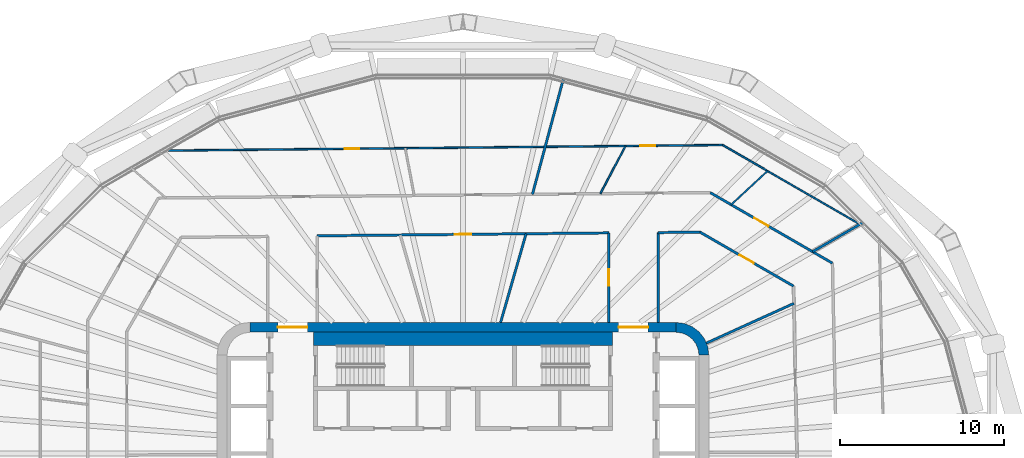
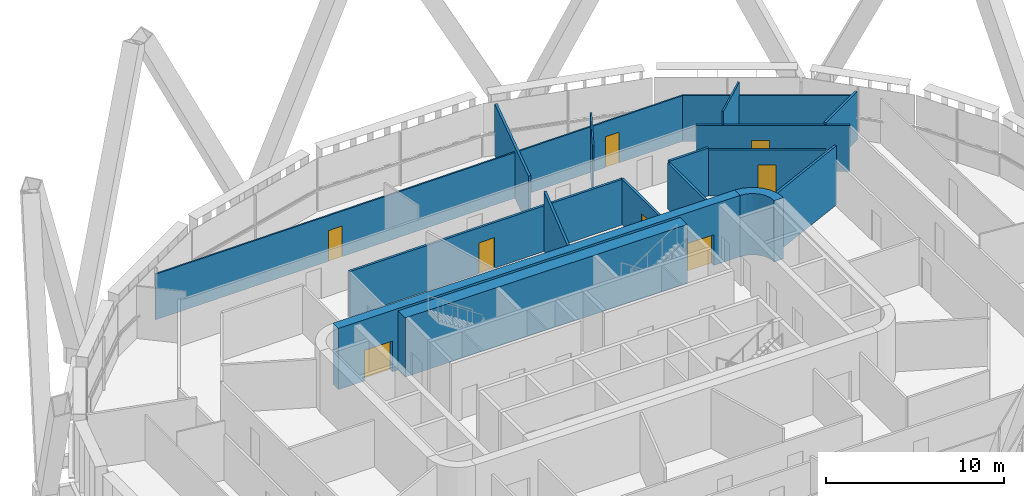
# One storey, part 17 of 25: 17 walls, 8 doors, 8 openings.
"""IFC4 building model written with IfcOpenShell, lengths in metres."""

import ifcopenshell
import ifcopenshell.guid

model = None  # the IFC model being written
_history = None  # IfcOwnerHistory: only IFC2X3 demands one
_inside = {}  # id of a spatial element -> (the spatial element, [elements in it])
_under = {}  # id of a project, library or spatial element -> (it, [spatial elements below it])
_declared = {}  # id of a project -> (the project, [libraries it declares])
_typed = {}  # id of a type object -> (the type object, [elements of that type])
_made_of = {}  # id of a material, layer set ... -> (it, [elements and type objects made of it])


def new_model(schema):
    """Start an empty IFC model of exactly this schema.

    Asked for "IFC4X3", IfcOpenShell would pick the latest addendum, in which some entities
    have other attributes; the version numbers below select the first issue.
    IFC2X3 requires an IfcOwnerHistory on every rooted entity: one is made here for all.
    """
    global model, _history
    if schema == "IFC4X3":
        model = ifcopenshell.file(schema_version=(4, 3, 0, 0))
    else:
        model = ifcopenshell.file(schema=schema)
    _inside.clear()
    _under.clear()
    _declared.clear()
    _typed.clear()
    _made_of.clear()
    _history = None
    if model.schema == "IFC2X3":
        org = make("IfcOrganization", Name="unknown")
        user = make(
            "IfcPersonAndOrganization",
            ThePerson=make("IfcPerson", FamilyName="unknown"),
            TheOrganization=org,
        )
        app = make(
            "IfcApplication",
            ApplicationDeveloper=org,
            Version="unknown",
            ApplicationFullName="unknown",
            ApplicationIdentifier="unknown",
        )
        _history = make(
            "IfcOwnerHistory",
            OwningUser=user,
            OwningApplication=app,
            ChangeAction="ADDED",
            CreationDate=0,
        )
    return model


def make(cls, **values):
    """One entity of the class cls with the attributes given. An attribute that is None is left unset."""
    return model.create_entity(
        cls, **{name: value for name, value in values.items() if value is not None}
    )


def rooted(cls, **values):
    """An entity with a GlobalId (a new one), such as an element, a storey or a relation."""
    return make(cls, GlobalId=ifcopenshell.guid.new(), OwnerHistory=_history, **values)


def si_unit(unit_type, name, prefix=None):
    """IfcSIUnit, for example si_unit("LENGTHUNIT", "METRE", prefix="MILLI")."""
    return make("IfcSIUnit", UnitType=unit_type, Prefix=prefix, Name=name)


def assignment(units):
    """IfcUnitAssignment: the units of a project."""
    return None if units is None else make("IfcUnitAssignment", Units=units)


def point(xyz):
    """IfcCartesianPoint."""
    return None if xyz is None else make("IfcCartesianPoint", Coordinates=xyz)


def direction(xyz):
    """IfcDirection."""
    return None if xyz is None else make("IfcDirection", DirectionRatios=xyz)


def frame(location, z_axis=None, x_axis=None):
    """IfcAxis2Placement3D, a coordinate frame: its origin and axes. An axis left out is left unset."""
    return make(
        "IfcAxis2Placement3D",
        Location=point(location),
        Axis=direction(z_axis),
        RefDirection=direction(x_axis),
    )


def frame_2d(location, x_axis=None):
    """IfcAxis2Placement2D, a coordinate frame in the plane: its origin and x axis."""
    return make(
        "IfcAxis2Placement2D", Location=point(location), RefDirection=direction(x_axis)
    )


def origin():
    """The frame at (0, 0, 0) with its axes left unset."""
    return frame((0.0, 0.0, 0.0))


def place(relative_to, where):
    """IfcLocalPlacement: puts the frame where relative to a parent placement (None: the world)."""
    return make(
        "IfcLocalPlacement", PlacementRelTo=relative_to, RelativePlacement=where
    )


def context(
    kind, dimensions, precision=None, world=None, true_north=None, identifier=None
):
    """IfcGeometricRepresentationContext, for example the 3D "Model" context."""
    return make(
        "IfcGeometricRepresentationContext",
        ContextIdentifier=identifier,
        ContextType=kind,
        CoordinateSpaceDimension=dimensions,
        Precision=precision,
        WorldCoordinateSystem=world,
        TrueNorth=true_north,
    )


def subcontext(parent, identifier, kind, view, scale=None):
    """IfcGeometricRepresentationSubContext, for example "Body" below "Model"."""
    return make(
        "IfcGeometricRepresentationSubContext",
        ContextIdentifier=identifier,
        ContextType=kind,
        ParentContext=parent,
        TargetScale=scale,
        TargetView=view,
    )


def project(units=None, contexts=None):
    """IfcProject with its units and contexts."""
    return rooted(
        "IfcProject",
        Name="project",
        RepresentationContexts=contexts,
        UnitsInContext=assignment(units),
    )


def spatial(cls, under=None, at=None, **own):
    """A site, building, storey or space (cls), placed at a placement, below another one or the project."""
    s = rooted(cls, ObjectPlacement=at, **own)
    if under is not None:
        _under.setdefault(under.id(), (under, []))[1].append(s)
    return s


def polyline(points):
    """IfcPolyline through the points."""
    return make("IfcPolyline", Points=[point(p) for p in points])


def profile(cls, at=None, kind="AREA", **sizes):
    """A parametric profile (cls). Its sizes go by their IFC names, for example OverallWidth=200.0."""
    return make(cls, ProfileType=kind, Position=at, **sizes)


def rectangle(**sizes):
    """IfcRectangleProfileDef."""
    return profile("IfcRectangleProfileDef", **sizes)


def outline(outer, holes=None, kind="AREA"):
    """IfcArbitraryClosedProfileDef: a profile drawn as a closed curve; with holes, ...WithVoids."""
    if holes is None:
        return make("IfcArbitraryClosedProfileDef", ProfileType=kind, OuterCurve=outer)
    return make(
        "IfcArbitraryProfileDefWithVoids",
        ProfileType=kind,
        OuterCurve=outer,
        InnerCurves=holes,
    )


def extrude(swept, where, along, depth):
    """IfcExtrudedAreaSolid: the profile swept, set in the frame where, extruded along a direction by depth."""
    return make(
        "IfcExtrudedAreaSolid",
        SweptArea=swept,
        Position=where,
        ExtrudedDirection=direction(along),
        Depth=depth,
    )


def shape(context_of_items, identifier, shape_type, items):
    """IfcShapeRepresentation: the items that make up one representation, for example the "Body"."""
    return make(
        "IfcShapeRepresentation",
        ContextOfItems=context_of_items,
        RepresentationIdentifier=identifier,
        RepresentationType=shape_type,
        Items=items,
    )


def material(Name=None, Category=None):
    """IfcMaterial."""
    return make("IfcMaterial", Name=Name, Category=Category)


def layer(
    of_material, thickness, ventilated=None, Name=None, Category=None, Priority=None
):
    """IfcMaterialLayer: one layer of a wall or slab, of a material (None: an air gap)."""
    return make(
        "IfcMaterialLayer",
        Material=of_material,
        LayerThickness=thickness,
        IsVentilated=ventilated,
        Name=Name,
        Category=Category,
        Priority=Priority,
    )


def layer_set(layers, Name=None):
    """IfcMaterialLayerSet."""
    return make("IfcMaterialLayerSet", MaterialLayers=layers, LayerSetName=Name)


def made_of(thing, what):
    """Note that an element or type object is made of a material, layer set ...; save() writes the relation."""
    if what is not None:
        _made_of.setdefault(what.id(), (what, []))[1].append(thing)
    return thing


def type_object(cls, material=None, **own):
    """A type object (cls), such as IfcWallType, which elements share."""
    return made_of(rooted(cls, **own), material)


def element(
    cls,
    number,
    at=None,
    inside=None,
    cuts=None,
    type_object=None,
    material=None,
    context=None,
    identifier="Body",
    shape_type=None,
    held_by="IfcProductDefinitionShape",
    body=None,
    shapes=None,
    **own,
):
    """One element of the class cls, such as IfcWall. Its Tag is "e" and its number.

    at: its placement. inside: the storey or other place that contains it. cuts: it is an
    opening in that element (IfcRelVoidsElement). A single representation is given by context,
    identifier, shape_type and body (its items); several are given by shapes. held_by: the class
    of the entity that holds the representations. save() writes the other relations.
    """
    e = rooted(cls, Tag="e%d" % number, ObjectPlacement=at, **own)
    if body is not None:
        shapes = [shape(context, identifier, shape_type, body)]
    if shapes is not None:
        e.Representation = make(held_by, Representations=shapes)
    if inside is not None:
        _inside.setdefault(inside.id(), (inside, []))[1].append(e)
    if cuts is not None:
        rooted(
            "IfcRelVoidsElement", RelatingBuildingElement=cuts, RelatedOpeningElement=e
        )
    if type_object is not None:
        _typed.setdefault(type_object.id(), (type_object, []))[1].append(e)
    return made_of(e, material)


def fill(opening, filler):
    """IfcRelFillsElement: the door or window that sits in an opening."""
    return rooted(
        "IfcRelFillsElement",
        RelatingOpeningElement=opening,
        RelatedBuildingElement=filler,
    )


def aggregate(whole, parts):
    """IfcRelAggregates: a whole, such as a stair, and the parts it consists of."""
    return rooted("IfcRelAggregates", RelatingObject=whole, RelatedObjects=parts)


def save(model, path):
    """Write the relations noted so far, then the file.

    IfcRelAggregates (storeys below a building ...), IfcRelContainedInSpatialStructure (elements
    in a storey), IfcRelDefinesByType, IfcRelAssociatesMaterial and IfcRelDeclares: one each for
    every whole, place, type object, material and project.
    """
    for whole, parts in _under.values():
        aggregate(whole, parts)
    for where, things in _inside.values():
        rooted(
            "IfcRelContainedInSpatialStructure",
            RelatedElements=things,
            RelatingStructure=where,
        )
    for kind, things in _typed.values():
        rooted("IfcRelDefinesByType", RelatedObjects=things, RelatingType=kind)
    for what, things in _made_of.values():
        rooted("IfcRelAssociatesMaterial", RelatedObjects=things, RelatingMaterial=what)
    for by, libraries in _declared.values():
        rooted("IfcRelDeclares", RelatingContext=by, RelatedDefinitions=libraries)
    model.write(path)


model = new_model("IFC4")

# Units and contexts
model_context = context("Model", 3, precision=1e-05, world=origin(), true_north=direction((0.0, 1.0)))
body_context = subcontext(model_context, "Body", "Model", "MODEL_VIEW")
ifc_project = project(units=[si_unit("LENGTHUNIT", "METRE"), si_unit("AREAUNIT", "SQUARE_METRE"), si_unit("VOLUMEUNIT", "CUBIC_METRE"), si_unit("PLANEANGLEUNIT", "RADIAN"), si_unit("MASSUNIT", "GRAM", prefix="KILO")], contexts=[model_context])

# Site, building, storey
site_placement = place(None, origin())
site = spatial("IfcSite", under=ifc_project, at=site_placement, CompositionType="ELEMENT")
building_placement = place(site_placement, origin())
building = spatial("IfcBuilding", under=site, at=building_placement, Name="Sahrelin Media Tower", CompositionType="ELEMENT")
storey_placement = place(building_placement, frame((0.0, 0.0, 63.0)))
storey = spatial("IfcBuildingStorey", under=building, at=storey_placement, Name="L10", CompositionType="ELEMENT", Elevation=63.0)

# Wall, openings, doors
ifc_material_1 = material(Name="Concrete C60/75", Category="concrete")
ifc_layer_1 = layer(ifc_material_1, 0.60009765625)
ifc_layer_set_1 = layer_set([ifc_layer_1], Name="Core wall 600")
wall_type_1 = type_object("IfcWallType", Name="Core wall 600", PredefinedType="SHEAR", material=ifc_layer_set_1)
wall_1_placement = place(storey_placement, frame((-13.0, 7.699951171875, 0.0), z_axis=(0.0, 0.0, 1.0), x_axis=(1.0, 0.0, 0.0)))
wall_1 = element("IfcWall", 1, at=wall_1_placement, inside=storey, type_object=wall_type_1, Name="Core wall N L10", PredefinedType="SHEAR", context=body_context, shape_type="SweptSolid", body=[
    extrude(rectangle(XDim=26.0, YDim=0.60009765625, at=frame_2d((13.0, 0.0))), origin(), (0.0, 0.0, 1.0), 4.199951171875),
])
opening_1_placement = place(wall_1_placement, frame((1.699951171875, 0.0, 0.0)))
opening_1 = element("IfcOpeningElement", 2, at=opening_1_placement, cuts=wall_1, Name="Opening L10-D18", PredefinedType="OPENING", context=body_context, shape_type="SweptSolid", body=[
    extrude(rectangle(XDim=1.800048828125, YDim=2.10009765625, at=frame_2d((0.89990234375, 1.050048828125))), frame((0.0, 0.300048828125, 0.0), z_axis=(0.0, -1.0, 0.0), x_axis=(1.0, 0.0, 0.0)), (0.0, 0.0, 1.0), 0.60009765625),
])
opening_2_placement = place(wall_1_placement, frame((22.5, 0.0, 0.0)))
opening_2 = element("IfcOpeningElement", 3, at=opening_2_placement, cuts=wall_1, Name="Opening L10-D19", PredefinedType="OPENING", context=body_context, shape_type="SweptSolid", body=[
    extrude(rectangle(XDim=1.800048828125, YDim=2.10009765625, at=frame_2d((0.89990234375, 1.050048828125))), frame((0.0, 0.300048828125, 0.0), z_axis=(0.0, -1.0, 0.0), x_axis=(1.0, 0.0, 0.0)), (0.0, 0.0, 1.0), 0.60009765625),
])
ifc_material_2 = material(Name="Steel fire door leaf", Category="steel")
door_type_1 = type_object("IfcDoorType", Name="Lobby double door 1800 x 2100 EI 60", OperationType="DOUBLE_DOOR_SINGLE_SWING", PredefinedType="DOOR", material=ifc_material_2)
door_1_placement = place(opening_1_placement, origin())
door_1 = element("IfcDoor", 4, at=door_1_placement, inside=storey, type_object=door_type_1, Name="Lobby door", OperationType="DOUBLE_DOOR_SINGLE_SWING", OverallHeight=2.10009765625, OverallWidth=1.800048828125, PredefinedType="DOOR", context=body_context, shape_type="SweptSolid", body=[
    extrude(rectangle(XDim=1.800048828125, YDim=2.10009765625, at=frame_2d((0.89990234375, 1.050048828125))), frame((0.0, 0.02490234375, 0.0), z_axis=(0.0, -1.0, 0.0), x_axis=(1.0, 0.0, 0.0)), (0.0, 0.0, 1.0), 0.050048828125),
])
fill(opening_1, door_1)
door_2_placement = place(opening_2_placement, origin())
door_2 = element("IfcDoor", 5, at=door_2_placement, inside=storey, type_object=door_type_1, Name="Lobby door", OperationType="DOUBLE_DOOR_SINGLE_SWING", OverallHeight=2.10009765625, OverallWidth=1.800048828125, PredefinedType="DOOR", context=body_context, shape_type="SweptSolid", body=[
    extrude(rectangle(XDim=1.800048828125, YDim=2.10009765625, at=frame_2d((0.89990234375, 1.050048828125))), frame((0.0, 0.02490234375, 0.0), z_axis=(0.0, -1.0, 0.0), x_axis=(1.0, 0.0, 0.0)), (0.0, 0.0, 1.0), 0.050048828125),
])
fill(opening_2, door_2)

# Wall
wall_2_placement = place(storey_placement, origin())
element("IfcWall", 6, at=wall_2_placement, inside=storey, type_object=wall_type_1, Name="Core wall corner NE L10", PredefinedType="SHEAR", context=body_context, shape_type="SweptSolid", body=[
    extrude(outline(polyline([(13.0, 8.0), (13.0, 7.394775390625), (13.361083984375, 7.347412109375), (13.697509765625, 7.2080078125), (13.986328125, 6.986328125), (14.2080078125, 6.697509765625), (14.347412109375, 6.361083984375), (14.394775390625, 6.0), (15.0, 6.0), (14.931884765625, 6.517578125), (14.732177734375, 7.0), (14.414306640625, 7.414306640625), (14.0, 7.732177734375), (13.517578125, 7.931884765625), (13.0, 8.0)])), origin(), (0.0, 0.0, 1.0), 4.199951171875),
])

# Wall, opening, door
ifc_material_3 = material(Name="Fire-rated gypsum board partition")
ifc_layer_2 = layer(ifc_material_3, 0.14990234375)
ifc_layer_set_2 = layer_set([ifc_layer_2], Name="Fire-rated partition 150")
wall_type_2 = type_object("IfcWallType", Name="Fire-rated partition 150", PredefinedType="PARTITIONING", material=ifc_layer_set_2)
wall_3_placement = place(storey_placement, frame((14.447998046875, 13.514892578125, 0.0), z_axis=(0.0, 0.0, 1.0), x_axis=(0.866016279763, -0.500015802937, 0.0)))
wall_3 = element("IfcWall", 7, at=wall_3_placement, inside=storey, type_object=wall_type_2, Name="Wall", PredefinedType="PARTITIONING", context=body_context, shape_type="SweptSolid", body=[
    extrude(rectangle(XDim=6.603759765625, YDim=0.14990234375, at=frame_2d((3.3017578125, 0.0))), origin(), (0.0, 0.0, 1.0), 3.14501953125),
])
opening_3_placement = place(wall_3_placement, frame((2.802001953125, 0.0, 0.0)))
opening_3 = element("IfcOpeningElement", 8, at=opening_3_placement, cuts=wall_3, Name="Opening L10-D28", PredefinedType="OPENING", context=body_context, shape_type="SweptSolid", body=[
    extrude(rectangle(XDim=1.0, YDim=2.10009765625, at=frame_2d((0.5, 1.050048828125))), frame((0.0, 0.074951171875, 0.0), z_axis=(0.0, -1.0, 0.0), x_axis=(1.0, 0.0, 0.0)), (0.0, 0.0, 1.0), 0.14990234375),
])
door_type_2 = type_object("IfcDoorType", Name="Fire door 1000 x 2100 EI 60", OperationType="NOTDEFINED", PredefinedType="DOOR", material=ifc_material_2)
door_3_placement = place(opening_3_placement, origin())
door_3 = element("IfcDoor", 9, at=door_3_placement, inside=storey, type_object=door_type_2, Name="Fire door", OperationType="SINGLE_SWING_RIGHT", OverallHeight=2.10009765625, OverallWidth=1.0, PredefinedType="DOOR", context=body_context, shape_type="SweptSolid", body=[
    extrude(rectangle(XDim=1.0, YDim=2.10009765625, at=frame_2d((0.5, 1.050048828125))), frame((0.0, 0.02490234375, 0.0), z_axis=(0.0, -1.0, 0.0), x_axis=(1.0, 0.0, 0.0)), (0.0, 0.0, 1.0), 0.050048828125),
])
fill(opening_3, door_3)

wall_4_placement = place(storey_placement, frame((15.080078125, 15.9208984375, 0.0), z_axis=(0.0, 0.0, 1.0), x_axis=(0.866020838546, -0.500007907142, 0.0)))
wall_4 = element("IfcWall", 10, at=wall_4_placement, inside=storey, type_object=wall_type_2, Name="Wall", PredefinedType="PARTITIONING", context=body_context, shape_type="SweptSolid", body=[
    extrude(rectangle(XDim=8.612548828125, YDim=0.14990234375, at=frame_2d((4.30615234375, 0.0))), origin(), (0.0, 0.0, 1.0), 3.14501953125),
])
opening_4_placement = place(wall_4_placement, frame((3.108154296875, 0.0, 0.0)))
opening_4 = element("IfcOpeningElement", 11, at=opening_4_placement, cuts=wall_4, Name="Opening L10-D52", PredefinedType="OPENING", context=body_context, shape_type="SweptSolid", body=[
    extrude(rectangle(XDim=1.0, YDim=2.10009765625, at=frame_2d((0.5, 1.050048828125))), frame((0.0, 0.074951171875, 0.0), z_axis=(0.0, -1.0, 0.0), x_axis=(1.0, 0.0, 0.0)), (0.0, 0.0, 1.0), 0.14990234375),
])
door_4_placement = place(opening_4_placement, origin())
door_4 = element("IfcDoor", 12, at=door_4_placement, inside=storey, type_object=door_type_2, Name="Fire door", OperationType="SINGLE_SWING_RIGHT", OverallHeight=2.10009765625, OverallWidth=1.0, PredefinedType="DOOR", context=body_context, shape_type="SweptSolid", body=[
    extrude(rectangle(XDim=1.0, YDim=2.10009765625, at=frame_2d((0.5, 1.050048828125))), frame((0.0, 0.02490234375, 0.0), z_axis=(0.0, -1.0, 0.0), x_axis=(1.0, 0.0, 0.0)), (0.0, 0.0, 1.0), 0.050048828125),
])
fill(opening_4, door_4)

wall_5_placement = place(storey_placement, frame((-8.89990234375, 13.282470703125, 0.0), z_axis=(0.0, 0.0, 1.0), x_axis=(0.999950697987, 0.009929833562, 0.0)))
wall_5 = element("IfcWall", 13, at=wall_5_placement, inside=storey, type_object=wall_type_2, Name="Wall", PredefinedType="PARTITIONING", context=body_context, shape_type="SweptSolid", body=[
    extrude(rectangle(XDim=17.80078125, YDim=0.14990234375, at=frame_2d((8.900390625, 0.0))), origin(), (0.0, 0.0, 1.0), 3.126953125),
])
opening_5_placement = place(wall_5_placement, frame((8.411865234375, 0.0, 0.0)))
opening_5 = element("IfcOpeningElement", 14, at=opening_5_placement, cuts=wall_5, Name="Opening L10-D30", PredefinedType="OPENING", context=body_context, shape_type="SweptSolid", body=[
    extrude(rectangle(XDim=1.0, YDim=2.10009765625, at=frame_2d((0.5, 1.050048828125))), frame((0.0, 0.074951171875, 0.0), z_axis=(0.0, -1.0, 0.0), x_axis=(1.0, 0.0, 0.0)), (0.0, 0.0, 1.0), 0.14990234375),
])
door_5_placement = place(opening_5_placement, origin())
door_5 = element("IfcDoor", 15, at=door_5_placement, inside=storey, type_object=door_type_2, Name="Fire door", OperationType="SINGLE_SWING_LEFT", OverallHeight=2.10009765625, OverallWidth=1.0, PredefinedType="DOOR", context=body_context, shape_type="SweptSolid", body=[
    extrude(rectangle(XDim=1.0, YDim=2.10009765625, at=frame_2d((0.5, 1.050048828125))), frame((0.0, 0.02490234375, 0.0), z_axis=(0.0, -1.0, 0.0), x_axis=(1.0, 0.0, 0.0)), (0.0, 0.0, 1.0), 0.050048828125),
])
fill(opening_5, door_5)

# Walls
wall_6_placement = place(storey_placement, frame((11.89990234375, 13.47998046875, 0.0), z_axis=(0.0, 0.0, 1.0), x_axis=(0.999950357576, 0.009964054536, 0.0)))
element("IfcWall", 16, at=wall_6_placement, inside=storey, type_object=wall_type_2, Name="Wall", PredefinedType="PARTITIONING", context=body_context, shape_type="SweptSolid", body=[
    extrude(rectangle(XDim=2.54833984375, YDim=0.14990234375, at=frame_2d((1.274169921875, 0.0))), origin(), (0.0, 0.0, 1.0), 3.27587890625),
])
wall_7_placement = place(storey_placement, frame((14.843017578125, 6.73291015625, 0.0), z_axis=(0.0, 0.0, 1.0), x_axis=(0.910628361306, 0.413226315214, 0.0)))
element("IfcWall", 17, at=wall_7_placement, inside=storey, type_object=wall_type_2, Name="Wall", PredefinedType="PARTITIONING", context=body_context, shape_type="SweptSolid", body=[
    extrude(rectangle(XDim=5.870361328125, YDim=0.14990234375, at=frame_2d((2.93505859375, 0.0))), origin(), (0.0, 0.0, 1.0), 4.050048828125),
])
wall_8_placement = place(storey_placement, frame((21.327880859375, 12.31396484375, 0.0), z_axis=(0.0, 0.0, 1.0), x_axis=(0.865651247195, 0.500647498975, 0.0)))
element("IfcWall", 18, at=wall_8_placement, inside=storey, type_object=wall_type_2, Name="Wall", PredefinedType="PARTITIONING", context=body_context, shape_type="SweptSolid", body=[
    extrude(rectangle(XDim=3.540283203125, YDim=0.14990234375, at=frame_2d((1.77001953125, 0.0))), origin(), (0.0, 0.0, 1.0), 3.30224609375),
])
wall_9_placement = place(storey_placement, frame((2.2958984375, 8.0, 0.0), z_axis=(0.0, 0.0, 1.0), x_axis=(0.275958345059, 0.961169595749, 0.0)))
element("IfcWall", 19, at=wall_9_placement, inside=storey, type_object=wall_type_2, Name="Wall", PredefinedType="PARTITIONING", context=body_context, shape_type="SweptSolid", body=[
    extrude(rectangle(XDim=5.62841796875, YDim=0.14990234375, at=frame_2d((2.814208984375, 0.0))), origin(), (0.0, 0.0, 1.0), 4.050048828125),
])
wall_10_placement = place(storey_placement, frame((4.237060546875, 15.81298828125, 0.0), z_axis=(0.0, 0.0, 1.0), x_axis=(0.258856971965, 0.965915663019, 0.0)))
element("IfcWall", 20, at=wall_10_placement, inside=storey, type_object=wall_type_2, Name="Wall", PredefinedType="PARTITIONING", context=body_context, shape_type="SweptSolid", body=[
    extrude(rectangle(XDim=7.3017578125, YDim=0.14990234375, at=frame_2d((3.65087890625, 0.0))), origin(), (0.0, 0.0, 1.0), 3.501708984375),
])
wall_11_placement = place(storey_placement, frame((11.89990234375, 8.0, 0.0), z_axis=(0.0, 0.0, 1.0), x_axis=(0.0, 1.0, 0.0)))
element("IfcWall", 21, at=wall_11_placement, inside=storey, type_object=wall_type_2, Name="Wall", PredefinedType="PARTITIONING", context=body_context, shape_type="SweptSolid", body=[
    extrude(rectangle(XDim=5.47900390625, YDim=0.14990234375, at=frame_2d((2.739501953125, 0.0))), origin(), (0.0, 0.0, 1.0), 3.14501953125),
])

# Wall, opening, door
wall_12_placement = place(storey_placement, frame((8.89990234375, 8.0, 0.0), z_axis=(0.0, 0.0, 1.0), x_axis=(0.0, 1.0, 0.0)))
wall_12 = element("IfcWall", 22, at=wall_12_placement, inside=storey, type_object=wall_type_2, Name="Wall", PredefinedType="PARTITIONING", context=body_context, shape_type="SweptSolid", body=[
    extrude(rectangle(XDim=5.4599609375, YDim=0.14990234375, at=frame_2d((2.72998046875, 0.0))), origin(), (0.0, 0.0, 1.0), 3.126953125),
])
opening_6_placement = place(wall_12_placement, frame((2.22998046875, 0.0, 0.0)))
opening_6 = element("IfcOpeningElement", 23, at=opening_6_placement, cuts=wall_12, Name="Opening L10-D29", PredefinedType="OPENING", context=body_context, shape_type="SweptSolid", body=[
    extrude(rectangle(XDim=1.0, YDim=2.10009765625, at=frame_2d((0.5, 1.050048828125))), frame((0.0, 0.074951171875, 0.0), z_axis=(0.0, -1.0, 0.0), x_axis=(1.0, 0.0, 0.0)), (0.0, 0.0, 1.0), 0.14990234375),
])
door_6_placement = place(opening_6_placement, origin())
door_6 = element("IfcDoor", 24, at=door_6_placement, inside=storey, type_object=door_type_2, Name="Fire door", OperationType="SINGLE_SWING_LEFT", OverallHeight=2.10009765625, OverallWidth=1.0, PredefinedType="DOOR", context=body_context, shape_type="SweptSolid", body=[
    extrude(rectangle(XDim=1.0, YDim=2.10009765625, at=frame_2d((0.5, 1.050048828125))), frame((0.0, 0.02490234375, 0.0), z_axis=(0.0, -1.0, 0.0), x_axis=(1.0, 0.0, 0.0)), (0.0, 0.0, 1.0), 0.050048828125),
])
fill(opening_6, door_6)

# Wall
ifc_material_4 = material(Name="Gypsum board partition")
ifc_layer_3 = layer(ifc_material_4, 0.10009765625)
ifc_layer_set_3 = layer_set([ifc_layer_3], Name="Partition 100")
wall_type_3 = type_object("IfcWallType", Name="Partition 100", PredefinedType="PARTITIONING", material=ifc_layer_set_3)
wall_13_placement = place(storey_placement, frame((15.841064453125, 18.819091796875, 0.0), z_axis=(0.0, 0.0, 1.0), x_axis=(0.865993079611, -0.500055982931, 0.0)))
element("IfcWall", 25, at=wall_13_placement, inside=storey, type_object=wall_type_3, Name="Wall", PredefinedType="PARTITIONING", context=body_context, shape_type="SweptSolid", body=[
    extrude(rectangle(XDim=9.67333984375, YDim=0.10009765625, at=frame_2d((4.836669921875, 0.0))), origin(), (0.0, 0.0, 1.0), 3.14501953125),
])

# Wall, openings, doors
wall_14_placement = place(storey_placement, frame((-18.449951171875, 18.47802734375, 0.0), z_axis=(0.0, 0.0, 1.0), x_axis=(0.999949972423, 0.010002632221, 0.0)))
wall_14 = element("IfcWall", 26, at=wall_14_placement, inside=storey, type_object=wall_type_3, Name="Wall", PredefinedType="PARTITIONING", context=body_context, shape_type="SweptSolid", body=[
    extrude(rectangle(XDim=34.292724609375, YDim=0.10009765625, at=frame_2d((17.146484375, 0.0))), origin(), (0.0, 0.0, 1.0), 3.126953125),
])
opening_7_placement = place(wall_14_placement, frame((11.23095703125, 0.0, 0.0)))
opening_7 = element("IfcOpeningElement", 27, at=opening_7_placement, cuts=wall_14, Name="Opening L10-D39", PredefinedType="OPENING", context=body_context, shape_type="SweptSolid", body=[
    extrude(rectangle(XDim=0.89990234375, YDim=2.10009765625, at=frame_2d((0.449951171875, 1.050048828125))), frame((0.0, 0.050048828125, 0.0), z_axis=(0.0, -1.0, 0.0), x_axis=(1.0, 0.0, 0.0)), (0.0, 0.0, 1.0), 0.10009765625),
])
opening_8_placement = place(wall_14_placement, frame((29.267578125, 0.0, 0.0)))
opening_8 = element("IfcOpeningElement", 28, at=opening_8_placement, cuts=wall_14, Name="Opening L10-D55", PredefinedType="OPENING", context=body_context, shape_type="SweptSolid", body=[
    extrude(rectangle(XDim=0.89990234375, YDim=2.10009765625, at=frame_2d((0.449951171875, 1.050048828125))), frame((0.0, 0.050048828125, 0.0), z_axis=(0.0, -1.0, 0.0), x_axis=(1.0, 0.0, 0.0)), (0.0, 0.0, 1.0), 0.10009765625),
])
ifc_material_5 = material(Name="Timber door leaf", Category="wood")
door_type_3 = type_object("IfcDoorType", Name="Single door 900 x 2100", OperationType="NOTDEFINED", PredefinedType="DOOR", material=ifc_material_5)
door_7_placement = place(opening_7_placement, origin())
door_7 = element("IfcDoor", 29, at=door_7_placement, inside=storey, type_object=door_type_3, Name="Single door", OperationType="SINGLE_SWING_LEFT", OverallHeight=2.10009765625, OverallWidth=0.89990234375, PredefinedType="DOOR", context=body_context, shape_type="SweptSolid", body=[
    extrude(rectangle(XDim=0.89990234375, YDim=2.10009765625, at=frame_2d((0.449951171875, 1.050048828125))), frame((0.0, 0.02490234375, 0.0), z_axis=(0.0, -1.0, 0.0), x_axis=(1.0, 0.0, 0.0)), (0.0, 0.0, 1.0), 0.050048828125),
])
fill(opening_7, door_7)
door_8_placement = place(opening_8_placement, origin())
door_8 = element("IfcDoor", 30, at=door_8_placement, inside=storey, type_object=door_type_3, Name="Single door", OperationType="SINGLE_SWING_RIGHT", OverallHeight=2.10009765625, OverallWidth=0.89990234375, PredefinedType="DOOR", context=body_context, shape_type="SweptSolid", body=[
    extrude(rectangle(XDim=0.89990234375, YDim=2.10009765625, at=frame_2d((0.449951171875, 1.050048828125))), frame((0.0, 0.02490234375, 0.0), z_axis=(0.0, -1.0, 0.0), x_axis=(1.0, 0.0, 0.0)), (0.0, 0.0, 1.0), 0.050048828125),
])
fill(opening_8, door_8)

# Walls
wall_15_placement = place(storey_placement, frame((16.362060546875, 15.180908203125, 0.0), z_axis=(0.0, 0.0, 1.0), x_axis=(0.733049321978, 0.680175485848, 0.0)))
element("IfcWall", 31, at=wall_15_placement, inside=storey, type_object=wall_type_3, Name="Wall", PredefinedType="PARTITIONING", context=body_context, shape_type="SweptSolid", body=[
    extrude(rectangle(XDim=3.0244140625, YDim=0.10009765625, at=frame_2d((1.51220703125, 0.0))), origin(), (0.0, 0.0, 1.0), 4.050048828125),
])
wall_16_placement = place(storey_placement, frame((8.37890625, 15.85498046875, 0.0), z_axis=(0.0, 0.0, 1.0), x_axis=(0.467454152029, 0.884017316432, 0.0)))
element("IfcWall", 32, at=wall_16_placement, inside=storey, type_object=wall_type_3, Name="Wall", PredefinedType="PARTITIONING", context=body_context, shape_type="SweptSolid", body=[
    extrude(rectangle(XDim=3.2861328125, YDim=0.10009765625, at=frame_2d((1.64306640625, 0.0))), origin(), (0.0, 0.0, 1.0), 4.050048828125),
])
ifc_layer_4 = layer(ifc_material_1, 0.800048828125)
ifc_layer_set_4 = layer_set([ifc_layer_4], Name="Stair enclosure wall 800")
wall_type_4 = type_object("IfcWallType", Name="Stair enclosure wall 800", PredefinedType="SOLIDWALL", material=ifc_layer_set_4)
wall_17_placement = place(storey_placement, frame((-9.125, 7.0, 0.0), z_axis=(0.0, 0.0, 1.0), x_axis=(1.0, 0.0, 0.0)))
element("IfcWall", 33, at=wall_17_placement, inside=storey, type_object=wall_type_4, Name="Stair enclosure wall", PredefinedType="SOLIDWALL", context=body_context, shape_type="SweptSolid", body=[
    extrude(rectangle(XDim=18.25, YDim=0.800048828125, at=frame_2d((9.125, 0.0))), origin(), (0.0, 0.0, 1.0), 4.050048828125),
])

save(model, "model.ifc")
